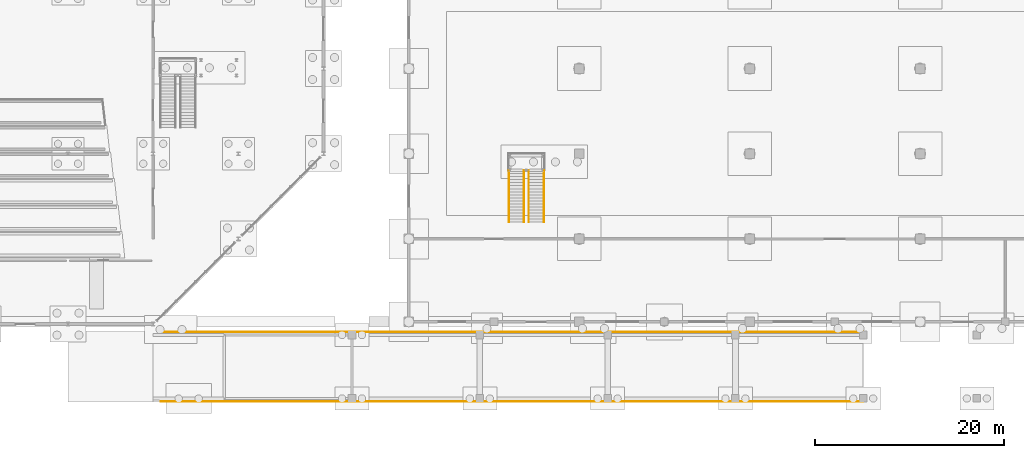
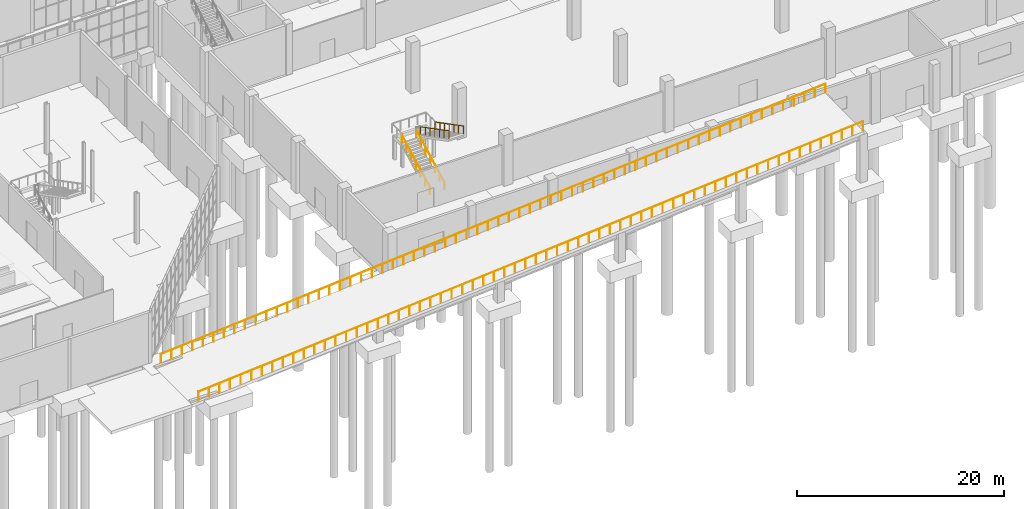
# One storey, part 118 of 131: 6 railings.
"""IFC4 building model written with IfcOpenShell, lengths in metres."""

import ifcopenshell
import ifcopenshell.guid

model = None  # the IFC model being written
_history = None  # IfcOwnerHistory: only IFC2X3 demands one
_inside = {}  # id of a spatial element -> (the spatial element, [elements in it])
_under = {}  # id of a project, library or spatial element -> (it, [spatial elements below it])
_declared = {}  # id of a project -> (the project, [libraries it declares])
_typed = {}  # id of a type object -> (the type object, [elements of that type])
_made_of = {}  # id of a material, layer set ... -> (it, [elements and type objects made of it])


def new_model(schema):
    """Start an empty IFC model of exactly this schema.

    Asked for "IFC4X3", IfcOpenShell would pick the latest addendum, in which some entities
    have other attributes; the version numbers below select the first issue.
    IFC2X3 requires an IfcOwnerHistory on every rooted entity: one is made here for all.
    """
    global model, _history
    if schema == "IFC4X3":
        model = ifcopenshell.file(schema_version=(4, 3, 0, 0))
    else:
        model = ifcopenshell.file(schema=schema)
    _inside.clear()
    _under.clear()
    _declared.clear()
    _typed.clear()
    _made_of.clear()
    _history = None
    if model.schema == "IFC2X3":
        org = make("IfcOrganization", Name="unknown")
        user = make(
            "IfcPersonAndOrganization",
            ThePerson=make("IfcPerson", FamilyName="unknown"),
            TheOrganization=org,
        )
        app = make(
            "IfcApplication",
            ApplicationDeveloper=org,
            Version="unknown",
            ApplicationFullName="unknown",
            ApplicationIdentifier="unknown",
        )
        _history = make(
            "IfcOwnerHistory",
            OwningUser=user,
            OwningApplication=app,
            ChangeAction="ADDED",
            CreationDate=0,
        )
    return model


def make(cls, **values):
    """One entity of the class cls with the attributes given. An attribute that is None is left unset."""
    return model.create_entity(
        cls, **{name: value for name, value in values.items() if value is not None}
    )


def rooted(cls, **values):
    """An entity with a GlobalId (a new one), such as an element, a storey or a relation."""
    return make(cls, GlobalId=ifcopenshell.guid.new(), OwnerHistory=_history, **values)


def si_unit(unit_type, name, prefix=None):
    """IfcSIUnit, for example si_unit("LENGTHUNIT", "METRE", prefix="MILLI")."""
    return make("IfcSIUnit", UnitType=unit_type, Prefix=prefix, Name=name)


def assignment(units):
    """IfcUnitAssignment: the units of a project."""
    return None if units is None else make("IfcUnitAssignment", Units=units)


def point(xyz):
    """IfcCartesianPoint."""
    return None if xyz is None else make("IfcCartesianPoint", Coordinates=xyz)


def direction(xyz):
    """IfcDirection."""
    return None if xyz is None else make("IfcDirection", DirectionRatios=xyz)


def frame(location, z_axis=None, x_axis=None):
    """IfcAxis2Placement3D, a coordinate frame: its origin and axes. An axis left out is left unset."""
    return make(
        "IfcAxis2Placement3D",
        Location=point(location),
        Axis=direction(z_axis),
        RefDirection=direction(x_axis),
    )


def frame_2d(location, x_axis=None):
    """IfcAxis2Placement2D, a coordinate frame in the plane: its origin and x axis."""
    return make(
        "IfcAxis2Placement2D", Location=point(location), RefDirection=direction(x_axis)
    )


def origin():
    """The frame at (0, 0, 0) with its axes left unset."""
    return frame((0.0, 0.0, 0.0))


def origin_2d():
    """The frame at (0, 0) in the plane with its x axis left unset."""
    return frame_2d((0.0, 0.0))


def place(relative_to, where):
    """IfcLocalPlacement: puts the frame where relative to a parent placement (None: the world)."""
    return make(
        "IfcLocalPlacement", PlacementRelTo=relative_to, RelativePlacement=where
    )


def context(
    kind, dimensions, precision=None, world=None, true_north=None, identifier=None
):
    """IfcGeometricRepresentationContext, for example the 3D "Model" context."""
    return make(
        "IfcGeometricRepresentationContext",
        ContextIdentifier=identifier,
        ContextType=kind,
        CoordinateSpaceDimension=dimensions,
        Precision=precision,
        WorldCoordinateSystem=world,
        TrueNorth=true_north,
    )


def subcontext(parent, identifier, kind, view, scale=None):
    """IfcGeometricRepresentationSubContext, for example "Body" below "Model"."""
    return make(
        "IfcGeometricRepresentationSubContext",
        ContextIdentifier=identifier,
        ContextType=kind,
        ParentContext=parent,
        TargetScale=scale,
        TargetView=view,
    )


def project(units=None, contexts=None):
    """IfcProject with its units and contexts."""
    return rooted(
        "IfcProject",
        Name="project",
        RepresentationContexts=contexts,
        UnitsInContext=assignment(units),
    )


def spatial(cls, under=None, at=None, **own):
    """A site, building, storey or space (cls), placed at a placement, below another one or the project."""
    s = rooted(cls, ObjectPlacement=at, **own)
    if under is not None:
        _under.setdefault(under.id(), (under, []))[1].append(s)
    return s


def profile(cls, at=None, kind="AREA", **sizes):
    """A parametric profile (cls). Its sizes go by their IFC names, for example OverallWidth=200.0."""
    return make(cls, ProfileType=kind, Position=at, **sizes)


def circle(**sizes):
    """IfcCircleProfileDef."""
    return profile("IfcCircleProfileDef", **sizes)


def extrude(swept, where, along, depth):
    """IfcExtrudedAreaSolid: the profile swept, set in the frame where, extruded along a direction by depth."""
    return make(
        "IfcExtrudedAreaSolid",
        SweptArea=swept,
        Position=where,
        ExtrudedDirection=direction(along),
        Depth=depth,
    )


def shape(context_of_items, identifier, shape_type, items):
    """IfcShapeRepresentation: the items that make up one representation, for example the "Body"."""
    return make(
        "IfcShapeRepresentation",
        ContextOfItems=context_of_items,
        RepresentationIdentifier=identifier,
        RepresentationType=shape_type,
        Items=items,
    )


def material(Name=None, Category=None):
    """IfcMaterial."""
    return make("IfcMaterial", Name=Name, Category=Category)


def made_of(thing, what):
    """Note that an element or type object is made of a material, layer set ...; save() writes the relation."""
    if what is not None:
        _made_of.setdefault(what.id(), (what, []))[1].append(thing)
    return thing


def type_object(cls, material=None, **own):
    """A type object (cls), such as IfcWallType, which elements share."""
    return made_of(rooted(cls, **own), material)


def element(
    cls,
    number,
    at=None,
    inside=None,
    cuts=None,
    type_object=None,
    material=None,
    context=None,
    identifier="Body",
    shape_type=None,
    held_by="IfcProductDefinitionShape",
    body=None,
    shapes=None,
    **own,
):
    """One element of the class cls, such as IfcWall. Its Tag is "e" and its number.

    at: its placement. inside: the storey or other place that contains it. cuts: it is an
    opening in that element (IfcRelVoidsElement). A single representation is given by context,
    identifier, shape_type and body (its items); several are given by shapes. held_by: the class
    of the entity that holds the representations. save() writes the other relations.
    """
    e = rooted(cls, Tag="e%d" % number, ObjectPlacement=at, **own)
    if body is not None:
        shapes = [shape(context, identifier, shape_type, body)]
    if shapes is not None:
        e.Representation = make(held_by, Representations=shapes)
    if inside is not None:
        _inside.setdefault(inside.id(), (inside, []))[1].append(e)
    if cuts is not None:
        rooted(
            "IfcRelVoidsElement", RelatingBuildingElement=cuts, RelatedOpeningElement=e
        )
    if type_object is not None:
        _typed.setdefault(type_object.id(), (type_object, []))[1].append(e)
    return made_of(e, material)


def aggregate(whole, parts):
    """IfcRelAggregates: a whole, such as a stair, and the parts it consists of."""
    return rooted("IfcRelAggregates", RelatingObject=whole, RelatedObjects=parts)


def save(model, path):
    """Write the relations noted so far, then the file.

    IfcRelAggregates (storeys below a building ...), IfcRelContainedInSpatialStructure (elements
    in a storey), IfcRelDefinesByType, IfcRelAssociatesMaterial and IfcRelDeclares: one each for
    every whole, place, type object, material and project.
    """
    for whole, parts in _under.values():
        aggregate(whole, parts)
    for where, things in _inside.values():
        rooted(
            "IfcRelContainedInSpatialStructure",
            RelatedElements=things,
            RelatingStructure=where,
        )
    for kind, things in _typed.values():
        rooted("IfcRelDefinesByType", RelatedObjects=things, RelatingType=kind)
    for what, things in _made_of.values():
        rooted("IfcRelAssociatesMaterial", RelatedObjects=things, RelatingMaterial=what)
    for by, libraries in _declared.values():
        rooted("IfcRelDeclares", RelatingContext=by, RelatedDefinitions=libraries)
    model.write(path)


model = new_model("IFC4")

# Units and contexts
model_context = context("Model", 3, precision=1e-05, world=origin(), true_north=direction((0.0, 1.0)))
body_context = subcontext(model_context, "Body", "Model", "MODEL_VIEW")
ifc_project = project(units=[si_unit("LENGTHUNIT", "METRE"), si_unit("AREAUNIT", "SQUARE_METRE"), si_unit("VOLUMEUNIT", "CUBIC_METRE"), si_unit("PLANEANGLEUNIT", "RADIAN"), si_unit("MASSUNIT", "GRAM", prefix="KILO")], contexts=[model_context])

# Site, building, storey
site_placement = place(None, origin())
site = spatial("IfcSite", under=ifc_project, at=site_placement, CompositionType="ELEMENT")
building_placement = place(site_placement, origin())
building = spatial("IfcBuilding", under=site, at=building_placement, Name="Cazmaro Siding Exhibition Halls", CompositionType="ELEMENT")
storey_placement = place(building_placement, origin())
storey = spatial("IfcBuildingStorey", under=building, at=storey_placement, Name="L00", CompositionType="ELEMENT", Elevation=0.0)

# Railings
ifc_material_1 = material(Name="Heavy-Duty Painted Steel Crash Guardrail", Category="steel")
railing_type_1 = type_object("IfcRailingType", Name="RL-GRD-02", PredefinedType="GUARDRAIL", material=ifc_material_1)
railing_1_placement = place(storey_placement, frame((45.800048828125, 0.85009765625, 0.06396484375)))
element("IfcRailing", 1, at=railing_1_placement, inside=storey, type_object=railing_type_1, Name="Truck Ramp Flight 1 South Crash Guard RL-GRD-02 RL-G062", PredefinedType="GUARDRAIL", context=body_context, shape_type="SweptSolid", body=[
    extrude(circle(Radius=0.02392578125, at=origin_2d()), frame((0.0, 0.0, 1.1259765625), z_axis=(0.996815236821, 0.0, 0.079745743718), x_axis=(0.0, 1.0, 0.0)), (0.0, 0.0, 1.0), 74.43701171875),
    extrude(circle(Radius=0.02099609375, at=origin_2d()), origin(), (0.0, 0.0, 1.0), 1.101806640625),
    extrude(circle(Radius=0.02099609375, at=origin_2d()), frame((1.177734375, 0.0, 0.09423828125)), (0.0, 0.0, 1.0), 1.101806640625),
    extrude(circle(Radius=0.02099609375, at=origin_2d()), frame((2.35546875, 0.0, 0.1884765625)), (0.0, 0.0, 1.0), 1.101806640625),
    extrude(circle(Radius=0.02099609375, at=origin_2d()), frame((3.533447265625, 0.0, 0.28271484375)), (0.0, 0.0, 1.0), 1.101806640625),
    extrude(circle(Radius=0.02099609375, at=origin_2d()), frame((4.711181640625, 0.0, 0.376953125)), (0.0, 0.0, 1.0), 1.101806640625),
    extrude(circle(Radius=0.02099609375, at=origin_2d()), frame((5.888916015625, 0.0, 0.47119140625)), (0.0, 0.0, 1.0), 1.101806640625),
    extrude(circle(Radius=0.02099609375, at=origin_2d()), frame((7.066650390625, 0.0, 0.5654296875)), (0.0, 0.0, 1.0), 1.101806640625),
    extrude(circle(Radius=0.02099609375, at=origin_2d()), frame((8.244384765625, 0.0, 0.65966796875)), (0.0, 0.0, 1.0), 1.101806640625),
    extrude(circle(Radius=0.02099609375, at=origin_2d()), frame((9.422119140625, 0.0, 0.753662109375)), (0.0, 0.0, 1.0), 1.101806640625),
    extrude(circle(Radius=0.02099609375, at=origin_2d()), frame((10.60009765625, 0.0, 0.847900390625)), (0.0, 0.0, 1.0), 1.101806640625),
    extrude(circle(Radius=0.02099609375, at=origin_2d()), frame((11.77783203125, 0.0, 0.942138671875)), (0.0, 0.0, 1.0), 1.101806640625),
    extrude(circle(Radius=0.02099609375, at=origin_2d()), frame((12.95556640625, 0.0, 1.036376953125)), (0.0, 0.0, 1.0), 1.101806640625),
    extrude(circle(Radius=0.02099609375, at=origin_2d()), frame((14.13330078125, 0.0, 1.130615234375)), (0.0, 0.0, 1.0), 1.101806640625),
    extrude(circle(Radius=0.02099609375, at=origin_2d()), frame((15.31103515625, 0.0, 1.224853515625)), (0.0, 0.0, 1.0), 1.101806640625),
    extrude(circle(Radius=0.02099609375, at=origin_2d()), frame((16.48876953125, 0.0, 1.319091796875)), (0.0, 0.0, 1.0), 1.101806640625),
    extrude(circle(Radius=0.02099609375, at=origin_2d()), frame((17.666748046875, 0.0, 1.413330078125)), (0.0, 0.0, 1.0), 1.101806640625),
    extrude(circle(Radius=0.02099609375, at=origin_2d()), frame((18.844482421875, 0.0, 1.507568359375)), (0.0, 0.0, 1.0), 1.101806640625),
    extrude(circle(Radius=0.02099609375, at=origin_2d()), frame((20.022216796875, 0.0, 1.601806640625)), (0.0, 0.0, 1.0), 1.101806640625),
    extrude(circle(Radius=0.02099609375, at=origin_2d()), frame((21.199951171875, 0.0, 1.696044921875)), (0.0, 0.0, 1.0), 1.101806640625),
    extrude(circle(Radius=0.02099609375, at=origin_2d()), frame((22.377685546875, 0.0, 1.790283203125)), (0.0, 0.0, 1.0), 1.101806640625),
    extrude(circle(Radius=0.02099609375, at=origin_2d()), frame((23.555419921875, 0.0, 1.884521484375)), (0.0, 0.0, 1.0), 1.101806640625),
    extrude(circle(Radius=0.02099609375, at=origin_2d()), frame((24.7333984375, 0.0, 1.978759765625)), (0.0, 0.0, 1.0), 1.101806640625),
    extrude(circle(Radius=0.02099609375, at=origin_2d()), frame((25.9111328125, 0.0, 2.072998046875)), (0.0, 0.0, 1.0), 1.101806640625),
    extrude(circle(Radius=0.02099609375, at=origin_2d()), frame((27.0888671875, 0.0, 2.167236328125)), (0.0, 0.0, 1.0), 1.101806640625),
    extrude(circle(Radius=0.02099609375, at=origin_2d()), frame((28.2666015625, 0.0, 2.26123046875)), (0.0, 0.0, 1.0), 1.101806640625),
    extrude(circle(Radius=0.02099609375, at=origin_2d()), frame((29.4443359375, 0.0, 2.35546875)), (0.0, 0.0, 1.0), 1.101806640625),
    extrude(circle(Radius=0.02099609375, at=origin_2d()), frame((30.622314453125, 0.0, 2.44970703125)), (0.0, 0.0, 1.0), 1.101806640625),
    extrude(circle(Radius=0.02099609375, at=origin_2d()), frame((31.800048828125, 0.0, 2.5439453125)), (0.0, 0.0, 1.0), 1.101806640625),
    extrude(circle(Radius=0.02099609375, at=origin_2d()), frame((32.977783203125, 0.0, 2.63818359375)), (0.0, 0.0, 1.0), 1.101806640625),
    extrude(circle(Radius=0.02099609375, at=origin_2d()), frame((34.155517578125, 0.0, 2.732421875)), (0.0, 0.0, 1.0), 1.101806640625),
    extrude(circle(Radius=0.02099609375, at=origin_2d()), frame((35.333251953125, 0.0, 2.82666015625)), (0.0, 0.0, 1.0), 1.101806640625),
    extrude(circle(Radius=0.02099609375, at=origin_2d()), frame((36.510986328125, 0.0, 2.9208984375)), (0.0, 0.0, 1.0), 1.101806640625),
    extrude(circle(Radius=0.02099609375, at=origin_2d()), frame((37.68896484375, 0.0, 3.01513671875)), (0.0, 0.0, 1.0), 1.101806640625),
    extrude(circle(Radius=0.02099609375, at=origin_2d()), frame((38.86669921875, 0.0, 3.109375)), (0.0, 0.0, 1.0), 1.101806640625),
    extrude(circle(Radius=0.02099609375, at=origin_2d()), frame((40.04443359375, 0.0, 3.20361328125)), (0.0, 0.0, 1.0), 1.101806640625),
    extrude(circle(Radius=0.02099609375, at=origin_2d()), frame((41.22216796875, 0.0, 3.2978515625)), (0.0, 0.0, 1.0), 1.101806640625),
    extrude(circle(Radius=0.02099609375, at=origin_2d()), frame((42.39990234375, 0.0, 3.39208984375)), (0.0, 0.0, 1.0), 1.101806640625),
    extrude(circle(Radius=0.02099609375, at=origin_2d()), frame((43.57763671875, 0.0, 3.486328125)), (0.0, 0.0, 1.0), 1.101806640625),
    extrude(circle(Radius=0.02099609375, at=origin_2d()), frame((44.755615234375, 0.0, 3.58056640625)), (0.0, 0.0, 1.0), 1.101806640625),
    extrude(circle(Radius=0.02099609375, at=origin_2d()), frame((45.933349609375, 0.0, 3.6748046875)), (0.0, 0.0, 1.0), 1.101806640625),
    extrude(circle(Radius=0.02099609375, at=origin_2d()), frame((47.111083984375, 0.0, 3.768798828125)), (0.0, 0.0, 1.0), 1.101806640625),
    extrude(circle(Radius=0.02099609375, at=origin_2d()), frame((48.288818359375, 0.0, 3.863037109375)), (0.0, 0.0, 1.0), 1.101806640625),
    extrude(circle(Radius=0.02099609375, at=origin_2d()), frame((49.466552734375, 0.0, 3.957275390625)), (0.0, 0.0, 1.0), 1.101806640625),
    extrude(circle(Radius=0.02099609375, at=origin_2d()), frame((50.64453125, 0.0, 4.051513671875)), (0.0, 0.0, 1.0), 1.101806640625),
    extrude(circle(Radius=0.02099609375, at=origin_2d()), frame((51.822265625, 0.0, 4.145751953125)), (0.0, 0.0, 1.0), 1.101806640625),
    extrude(circle(Radius=0.02099609375, at=origin_2d()), frame((53.0, 0.0, 4.239990234375)), (0.0, 0.0, 1.0), 1.101806640625),
    extrude(circle(Radius=0.02099609375, at=origin_2d()), frame((54.177734375, 0.0, 4.334228515625)), (0.0, 0.0, 1.0), 1.101806640625),
    extrude(circle(Radius=0.02099609375, at=origin_2d()), frame((55.35546875, 0.0, 4.428466796875)), (0.0, 0.0, 1.0), 1.101806640625),
    extrude(circle(Radius=0.02099609375, at=origin_2d()), frame((56.533203125, 0.0, 4.522705078125)), (0.0, 0.0, 1.0), 1.101806640625),
    extrude(circle(Radius=0.02099609375, at=origin_2d()), frame((57.711181640625, 0.0, 4.616943359375)), (0.0, 0.0, 1.0), 1.101806640625),
    extrude(circle(Radius=0.02099609375, at=origin_2d()), frame((58.888916015625, 0.0, 4.711181640625)), (0.0, 0.0, 1.0), 1.101806640625),
    extrude(circle(Radius=0.02099609375, at=origin_2d()), frame((60.066650390625, 0.0, 4.805419921875)), (0.0, 0.0, 1.0), 1.101806640625),
    extrude(circle(Radius=0.02099609375, at=origin_2d()), frame((61.244384765625, 0.0, 4.899658203125)), (0.0, 0.0, 1.0), 1.101806640625),
    extrude(circle(Radius=0.02099609375, at=origin_2d()), frame((62.422119140625, 0.0, 4.993896484375)), (0.0, 0.0, 1.0), 1.101806640625),
    extrude(circle(Radius=0.02099609375, at=origin_2d()), frame((63.599853515625, 0.0, 5.088134765625)), (0.0, 0.0, 1.0), 1.101806640625),
    extrude(circle(Radius=0.02099609375, at=origin_2d()), frame((64.77783203125, 0.0, 5.182373046875)), (0.0, 0.0, 1.0), 1.101806640625),
    extrude(circle(Radius=0.02099609375, at=origin_2d()), frame((65.95556640625, 0.0, 5.2763671875)), (0.0, 0.0, 1.0), 1.101806640625),
    extrude(circle(Radius=0.02099609375, at=origin_2d()), frame((67.13330078125, 0.0, 5.37060546875)), (0.0, 0.0, 1.0), 1.101806640625),
    extrude(circle(Radius=0.02099609375, at=origin_2d()), frame((68.31103515625, 0.0, 5.46484375)), (0.0, 0.0, 1.0), 1.101806640625),
    extrude(circle(Radius=0.02099609375, at=origin_2d()), frame((69.48876953125, 0.0, 5.55908203125)), (0.0, 0.0, 1.0), 1.101806640625),
    extrude(circle(Radius=0.02099609375, at=origin_2d()), frame((70.66650390625, 0.0, 5.6533203125)), (0.0, 0.0, 1.0), 1.101806640625),
    extrude(circle(Radius=0.02099609375, at=origin_2d()), frame((71.844482421875, 0.0, 5.74755859375)), (0.0, 0.0, 1.0), 1.101806640625),
    extrude(circle(Radius=0.02099609375, at=origin_2d()), frame((73.022216796875, 0.0, 5.841796875)), (0.0, 0.0, 1.0), 1.101806640625),
    extrude(circle(Radius=0.02099609375, at=origin_2d()), frame((74.199951171875, 0.0, 5.93603515625)), (0.0, 0.0, 1.0), 1.101806640625),
])
railing_2_placement = place(storey_placement, frame((45.800048828125, 8.14990234375, 0.06396484375)))
element("IfcRailing", 2, at=railing_2_placement, inside=storey, type_object=railing_type_1, Name="Truck Ramp Flight 1 North Crash Guard RL-GRD-02 RL-G063", PredefinedType="GUARDRAIL", context=body_context, shape_type="SweptSolid", body=[
    extrude(circle(Radius=0.02392578125, at=origin_2d()), frame((0.0, 0.0, 1.1259765625), z_axis=(0.996815236821, 0.0, 0.079745743718), x_axis=(0.0, 1.0, 0.0)), (0.0, 0.0, 1.0), 74.43701171875),
    extrude(circle(Radius=0.02099609375, at=origin_2d()), origin(), (0.0, 0.0, 1.0), 1.101806640625),
    extrude(circle(Radius=0.02099609375, at=origin_2d()), frame((1.177734375, 0.0, 0.09423828125)), (0.0, 0.0, 1.0), 1.101806640625),
    extrude(circle(Radius=0.02099609375, at=origin_2d()), frame((2.35546875, 0.0, 0.1884765625)), (0.0, 0.0, 1.0), 1.101806640625),
    extrude(circle(Radius=0.02099609375, at=origin_2d()), frame((3.533447265625, 0.0, 0.28271484375)), (0.0, 0.0, 1.0), 1.101806640625),
    extrude(circle(Radius=0.02099609375, at=origin_2d()), frame((4.711181640625, 0.0, 0.376953125)), (0.0, 0.0, 1.0), 1.101806640625),
    extrude(circle(Radius=0.02099609375, at=origin_2d()), frame((5.888916015625, 0.0, 0.47119140625)), (0.0, 0.0, 1.0), 1.101806640625),
    extrude(circle(Radius=0.02099609375, at=origin_2d()), frame((7.066650390625, 0.0, 0.5654296875)), (0.0, 0.0, 1.0), 1.101806640625),
    extrude(circle(Radius=0.02099609375, at=origin_2d()), frame((8.244384765625, 0.0, 0.65966796875)), (0.0, 0.0, 1.0), 1.101806640625),
    extrude(circle(Radius=0.02099609375, at=origin_2d()), frame((9.422119140625, 0.0, 0.753662109375)), (0.0, 0.0, 1.0), 1.101806640625),
    extrude(circle(Radius=0.02099609375, at=origin_2d()), frame((10.60009765625, 0.0, 0.847900390625)), (0.0, 0.0, 1.0), 1.101806640625),
    extrude(circle(Radius=0.02099609375, at=origin_2d()), frame((11.77783203125, 0.0, 0.942138671875)), (0.0, 0.0, 1.0), 1.101806640625),
    extrude(circle(Radius=0.02099609375, at=origin_2d()), frame((12.95556640625, 0.0, 1.036376953125)), (0.0, 0.0, 1.0), 1.101806640625),
    extrude(circle(Radius=0.02099609375, at=origin_2d()), frame((14.13330078125, 0.0, 1.130615234375)), (0.0, 0.0, 1.0), 1.101806640625),
    extrude(circle(Radius=0.02099609375, at=origin_2d()), frame((15.31103515625, 0.0, 1.224853515625)), (0.0, 0.0, 1.0), 1.101806640625),
    extrude(circle(Radius=0.02099609375, at=origin_2d()), frame((16.48876953125, 0.0, 1.319091796875)), (0.0, 0.0, 1.0), 1.101806640625),
    extrude(circle(Radius=0.02099609375, at=origin_2d()), frame((17.666748046875, 0.0, 1.413330078125)), (0.0, 0.0, 1.0), 1.101806640625),
    extrude(circle(Radius=0.02099609375, at=origin_2d()), frame((18.844482421875, 0.0, 1.507568359375)), (0.0, 0.0, 1.0), 1.101806640625),
    extrude(circle(Radius=0.02099609375, at=origin_2d()), frame((20.022216796875, 0.0, 1.601806640625)), (0.0, 0.0, 1.0), 1.101806640625),
    extrude(circle(Radius=0.02099609375, at=origin_2d()), frame((21.199951171875, 0.0, 1.696044921875)), (0.0, 0.0, 1.0), 1.101806640625),
    extrude(circle(Radius=0.02099609375, at=origin_2d()), frame((22.377685546875, 0.0, 1.790283203125)), (0.0, 0.0, 1.0), 1.101806640625),
    extrude(circle(Radius=0.02099609375, at=origin_2d()), frame((23.555419921875, 0.0, 1.884521484375)), (0.0, 0.0, 1.0), 1.101806640625),
    extrude(circle(Radius=0.02099609375, at=origin_2d()), frame((24.7333984375, 0.0, 1.978759765625)), (0.0, 0.0, 1.0), 1.101806640625),
    extrude(circle(Radius=0.02099609375, at=origin_2d()), frame((25.9111328125, 0.0, 2.072998046875)), (0.0, 0.0, 1.0), 1.101806640625),
    extrude(circle(Radius=0.02099609375, at=origin_2d()), frame((27.0888671875, 0.0, 2.167236328125)), (0.0, 0.0, 1.0), 1.101806640625),
    extrude(circle(Radius=0.02099609375, at=origin_2d()), frame((28.2666015625, 0.0, 2.26123046875)), (0.0, 0.0, 1.0), 1.101806640625),
    extrude(circle(Radius=0.02099609375, at=origin_2d()), frame((29.4443359375, 0.0, 2.35546875)), (0.0, 0.0, 1.0), 1.101806640625),
    extrude(circle(Radius=0.02099609375, at=origin_2d()), frame((30.622314453125, 0.0, 2.44970703125)), (0.0, 0.0, 1.0), 1.101806640625),
    extrude(circle(Radius=0.02099609375, at=origin_2d()), frame((31.800048828125, 0.0, 2.5439453125)), (0.0, 0.0, 1.0), 1.101806640625),
    extrude(circle(Radius=0.02099609375, at=origin_2d()), frame((32.977783203125, 0.0, 2.63818359375)), (0.0, 0.0, 1.0), 1.101806640625),
    extrude(circle(Radius=0.02099609375, at=origin_2d()), frame((34.155517578125, 0.0, 2.732421875)), (0.0, 0.0, 1.0), 1.101806640625),
    extrude(circle(Radius=0.02099609375, at=origin_2d()), frame((35.333251953125, 0.0, 2.82666015625)), (0.0, 0.0, 1.0), 1.101806640625),
    extrude(circle(Radius=0.02099609375, at=origin_2d()), frame((36.510986328125, 0.0, 2.9208984375)), (0.0, 0.0, 1.0), 1.101806640625),
    extrude(circle(Radius=0.02099609375, at=origin_2d()), frame((37.68896484375, 0.0, 3.01513671875)), (0.0, 0.0, 1.0), 1.101806640625),
    extrude(circle(Radius=0.02099609375, at=origin_2d()), frame((38.86669921875, 0.0, 3.109375)), (0.0, 0.0, 1.0), 1.101806640625),
    extrude(circle(Radius=0.02099609375, at=origin_2d()), frame((40.04443359375, 0.0, 3.20361328125)), (0.0, 0.0, 1.0), 1.101806640625),
    extrude(circle(Radius=0.02099609375, at=origin_2d()), frame((41.22216796875, 0.0, 3.2978515625)), (0.0, 0.0, 1.0), 1.101806640625),
    extrude(circle(Radius=0.02099609375, at=origin_2d()), frame((42.39990234375, 0.0, 3.39208984375)), (0.0, 0.0, 1.0), 1.101806640625),
    extrude(circle(Radius=0.02099609375, at=origin_2d()), frame((43.57763671875, 0.0, 3.486328125)), (0.0, 0.0, 1.0), 1.101806640625),
    extrude(circle(Radius=0.02099609375, at=origin_2d()), frame((44.755615234375, 0.0, 3.58056640625)), (0.0, 0.0, 1.0), 1.101806640625),
    extrude(circle(Radius=0.02099609375, at=origin_2d()), frame((45.933349609375, 0.0, 3.6748046875)), (0.0, 0.0, 1.0), 1.101806640625),
    extrude(circle(Radius=0.02099609375, at=origin_2d()), frame((47.111083984375, 0.0, 3.768798828125)), (0.0, 0.0, 1.0), 1.101806640625),
    extrude(circle(Radius=0.02099609375, at=origin_2d()), frame((48.288818359375, 0.0, 3.863037109375)), (0.0, 0.0, 1.0), 1.101806640625),
    extrude(circle(Radius=0.02099609375, at=origin_2d()), frame((49.466552734375, 0.0, 3.957275390625)), (0.0, 0.0, 1.0), 1.101806640625),
    extrude(circle(Radius=0.02099609375, at=origin_2d()), frame((50.64453125, 0.0, 4.051513671875)), (0.0, 0.0, 1.0), 1.101806640625),
    extrude(circle(Radius=0.02099609375, at=origin_2d()), frame((51.822265625, 0.0, 4.145751953125)), (0.0, 0.0, 1.0), 1.101806640625),
    extrude(circle(Radius=0.02099609375, at=origin_2d()), frame((53.0, 0.0, 4.239990234375)), (0.0, 0.0, 1.0), 1.101806640625),
    extrude(circle(Radius=0.02099609375, at=origin_2d()), frame((54.177734375, 0.0, 4.334228515625)), (0.0, 0.0, 1.0), 1.101806640625),
    extrude(circle(Radius=0.02099609375, at=origin_2d()), frame((55.35546875, 0.0, 4.428466796875)), (0.0, 0.0, 1.0), 1.101806640625),
    extrude(circle(Radius=0.02099609375, at=origin_2d()), frame((56.533203125, 0.0, 4.522705078125)), (0.0, 0.0, 1.0), 1.101806640625),
    extrude(circle(Radius=0.02099609375, at=origin_2d()), frame((57.711181640625, 0.0, 4.616943359375)), (0.0, 0.0, 1.0), 1.101806640625),
    extrude(circle(Radius=0.02099609375, at=origin_2d()), frame((58.888916015625, 0.0, 4.711181640625)), (0.0, 0.0, 1.0), 1.101806640625),
    extrude(circle(Radius=0.02099609375, at=origin_2d()), frame((60.066650390625, 0.0, 4.805419921875)), (0.0, 0.0, 1.0), 1.101806640625),
    extrude(circle(Radius=0.02099609375, at=origin_2d()), frame((61.244384765625, 0.0, 4.899658203125)), (0.0, 0.0, 1.0), 1.101806640625),
    extrude(circle(Radius=0.02099609375, at=origin_2d()), frame((62.422119140625, 0.0, 4.993896484375)), (0.0, 0.0, 1.0), 1.101806640625),
    extrude(circle(Radius=0.02099609375, at=origin_2d()), frame((63.599853515625, 0.0, 5.088134765625)), (0.0, 0.0, 1.0), 1.101806640625),
    extrude(circle(Radius=0.02099609375, at=origin_2d()), frame((64.77783203125, 0.0, 5.182373046875)), (0.0, 0.0, 1.0), 1.101806640625),
    extrude(circle(Radius=0.02099609375, at=origin_2d()), frame((65.95556640625, 0.0, 5.2763671875)), (0.0, 0.0, 1.0), 1.101806640625),
    extrude(circle(Radius=0.02099609375, at=origin_2d()), frame((67.13330078125, 0.0, 5.37060546875)), (0.0, 0.0, 1.0), 1.101806640625),
    extrude(circle(Radius=0.02099609375, at=origin_2d()), frame((68.31103515625, 0.0, 5.46484375)), (0.0, 0.0, 1.0), 1.101806640625),
    extrude(circle(Radius=0.02099609375, at=origin_2d()), frame((69.48876953125, 0.0, 5.55908203125)), (0.0, 0.0, 1.0), 1.101806640625),
    extrude(circle(Radius=0.02099609375, at=origin_2d()), frame((70.66650390625, 0.0, 5.6533203125)), (0.0, 0.0, 1.0), 1.101806640625),
    extrude(circle(Radius=0.02099609375, at=origin_2d()), frame((71.844482421875, 0.0, 5.74755859375)), (0.0, 0.0, 1.0), 1.101806640625),
    extrude(circle(Radius=0.02099609375, at=origin_2d()), frame((73.022216796875, 0.0, 5.841796875)), (0.0, 0.0, 1.0), 1.101806640625),
    extrude(circle(Radius=0.02099609375, at=origin_2d()), frame((74.199951171875, 0.0, 5.93603515625)), (0.0, 0.0, 1.0), 1.101806640625),
])
ifc_material_2 = material(Name="Brushed Stainless Steel Tubular Handrail", Category="steel")
railing_type_2 = type_object("IfcRailingType", Name="RL-HR-01", PredefinedType="HANDRAIL", material=ifc_material_2)
railing_3_placement = place(storey_placement, frame((82.56005859375, 19.780029296875, 0.1669921875)))
element("IfcRailing", 3, at=railing_3_placement, inside=storey, type_object=railing_type_2, Name="ST-28 Flight 1 Handrail 1", PredefinedType="HANDRAIL", context=body_context, shape_type="SweptSolid", body=[
    extrude(circle(Radius=0.02392578125, at=origin_2d()), frame((0.0, 0.0, 0.89599609375), z_axis=(0.0, 0.886933788778, 0.461896584013), x_axis=(-1.0, 0.0, 0.0)), (0.0, 0.0, 1.0), 6.133544921875),
    extrude(circle(Radius=0.02099609375, at=origin_2d()), origin(), (0.0, 0.0, 1.0), 0.871826171875),
    extrude(circle(Radius=0.02099609375, at=origin_2d()), frame((0.0, 0.90673828125, 0.47216796875)), (0.0, 0.0, 1.0), 0.871826171875),
    extrude(circle(Radius=0.02099609375, at=origin_2d()), frame((0.0, 1.813232421875, 0.9443359375)), (0.0, 0.0, 1.0), 0.871826171875),
    extrude(circle(Radius=0.02099609375, at=origin_2d()), frame((0.0, 2.719970703125, 1.41650390625)), (0.0, 0.0, 1.0), 0.871826171875),
    extrude(circle(Radius=0.02099609375, at=origin_2d()), frame((0.0, 3.626708984375, 1.888671875)), (0.0, 0.0, 1.0), 0.871826171875),
    extrude(circle(Radius=0.02099609375, at=origin_2d()), frame((0.0, 4.533203125, 2.36083984375)), (0.0, 0.0, 1.0), 0.871826171875),
    extrude(circle(Radius=0.02099609375, at=origin_2d()), frame((0.0, 5.43994140625, 2.8330078125)), (0.0, 0.0, 1.0), 0.871826171875),
])
railing_4_placement = place(storey_placement, frame((84.669921875, 25.219970703125, 3.1669921875)))
element("IfcRailing", 4, at=railing_4_placement, inside=storey, type_object=railing_type_2, Name="ST-28 Flight 2 Handrail 1", PredefinedType="HANDRAIL", context=body_context, shape_type="SweptSolid", body=[
    extrude(circle(Radius=0.02392578125, at=origin_2d()), frame((0.0, 0.0, 0.89599609375), z_axis=(0.0, -0.886933788778, 0.461896584013), x_axis=(1.0, 0.0, 0.0)), (0.0, 0.0, 1.0), 6.133544921875),
    extrude(circle(Radius=0.02099609375, at=origin_2d()), origin(), (0.0, 0.0, 1.0), 0.871826171875),
    extrude(circle(Radius=0.02099609375, at=origin_2d()), frame((0.0, -0.90673828125, 0.47216796875)), (0.0, 0.0, 1.0), 0.871826171875),
    extrude(circle(Radius=0.02099609375, at=origin_2d()), frame((0.0, -1.813232421875, 0.9443359375)), (0.0, 0.0, 1.0), 0.871826171875),
    extrude(circle(Radius=0.02099609375, at=origin_2d()), frame((0.0, -2.719970703125, 1.41650390625)), (0.0, 0.0, 1.0), 0.871826171875),
    extrude(circle(Radius=0.02099609375, at=origin_2d()), frame((0.0, -3.626708984375, 1.888671875)), (0.0, 0.0, 1.0), 0.871826171875),
    extrude(circle(Radius=0.02099609375, at=origin_2d()), frame((0.0, -4.533203125, 2.36083984375)), (0.0, 0.0, 1.0), 0.871826171875),
    extrude(circle(Radius=0.02099609375, at=origin_2d()), frame((0.0, -5.43994140625, 2.8330078125)), (0.0, 0.0, 1.0), 0.871826171875),
])
railing_5_placement = place(storey_placement, frame((84.179931640625, 19.780029296875, 0.1669921875)))
element("IfcRailing", 5, at=railing_5_placement, inside=storey, type_object=railing_type_2, Name="ST-28 Flight 1 Handrail 2", PredefinedType="HANDRAIL", context=body_context, shape_type="SweptSolid", body=[
    extrude(circle(Radius=0.02392578125, at=origin_2d()), frame((0.0, 0.0, 0.89599609375), z_axis=(0.0, 0.886933788778, 0.461896584013), x_axis=(-1.0, 0.0, 0.0)), (0.0, 0.0, 1.0), 6.133544921875),
    extrude(circle(Radius=0.02099609375, at=origin_2d()), origin(), (0.0, 0.0, 1.0), 0.871826171875),
    extrude(circle(Radius=0.02099609375, at=origin_2d()), frame((0.0, 0.90673828125, 0.47216796875)), (0.0, 0.0, 1.0), 0.871826171875),
    extrude(circle(Radius=0.02099609375, at=origin_2d()), frame((0.0, 1.813232421875, 0.9443359375)), (0.0, 0.0, 1.0), 0.871826171875),
    extrude(circle(Radius=0.02099609375, at=origin_2d()), frame((0.0, 2.719970703125, 1.41650390625)), (0.0, 0.0, 1.0), 0.871826171875),
    extrude(circle(Radius=0.02099609375, at=origin_2d()), frame((0.0, 3.626708984375, 1.888671875)), (0.0, 0.0, 1.0), 0.871826171875),
    extrude(circle(Radius=0.02099609375, at=origin_2d()), frame((0.0, 4.533203125, 2.36083984375)), (0.0, 0.0, 1.0), 0.871826171875),
    extrude(circle(Radius=0.02099609375, at=origin_2d()), frame((0.0, 5.43994140625, 2.8330078125)), (0.0, 0.0, 1.0), 0.871826171875),
])
railing_6_placement = place(storey_placement, frame((86.2900390625, 25.219970703125, 3.1669921875)))
element("IfcRailing", 6, at=railing_6_placement, inside=storey, type_object=railing_type_2, Name="ST-28 Flight 2 Handrail 2", PredefinedType="HANDRAIL", context=body_context, shape_type="SweptSolid", body=[
    extrude(circle(Radius=0.02392578125, at=origin_2d()), frame((0.0, 0.0, 0.89599609375), z_axis=(0.0, -0.886933788778, 0.461896584013), x_axis=(1.0, 0.0, 0.0)), (0.0, 0.0, 1.0), 6.133544921875),
    extrude(circle(Radius=0.02099609375, at=origin_2d()), origin(), (0.0, 0.0, 1.0), 0.871826171875),
    extrude(circle(Radius=0.02099609375, at=origin_2d()), frame((0.0, -0.90673828125, 0.47216796875)), (0.0, 0.0, 1.0), 0.871826171875),
    extrude(circle(Radius=0.02099609375, at=origin_2d()), frame((0.0, -1.813232421875, 0.9443359375)), (0.0, 0.0, 1.0), 0.871826171875),
    extrude(circle(Radius=0.02099609375, at=origin_2d()), frame((0.0, -2.719970703125, 1.41650390625)), (0.0, 0.0, 1.0), 0.871826171875),
    extrude(circle(Radius=0.02099609375, at=origin_2d()), frame((0.0, -3.626708984375, 1.888671875)), (0.0, 0.0, 1.0), 0.871826171875),
    extrude(circle(Radius=0.02099609375, at=origin_2d()), frame((0.0, -4.533203125, 2.36083984375)), (0.0, 0.0, 1.0), 0.871826171875),
    extrude(circle(Radius=0.02099609375, at=origin_2d()), frame((0.0, -5.43994140625, 2.8330078125)), (0.0, 0.0, 1.0), 0.871826171875),
])

save(model, "model.ifc")
